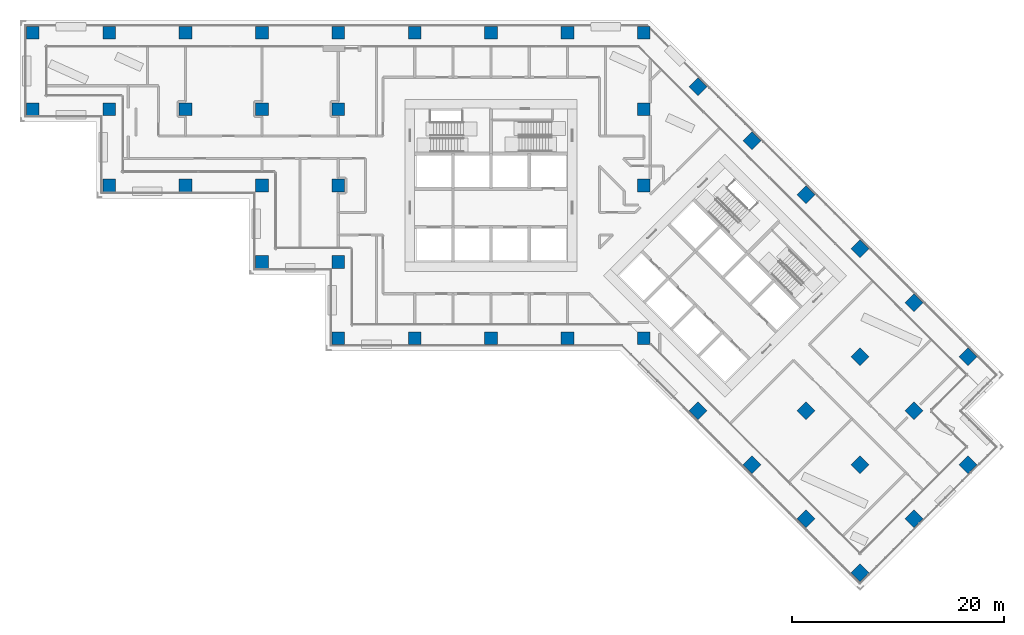
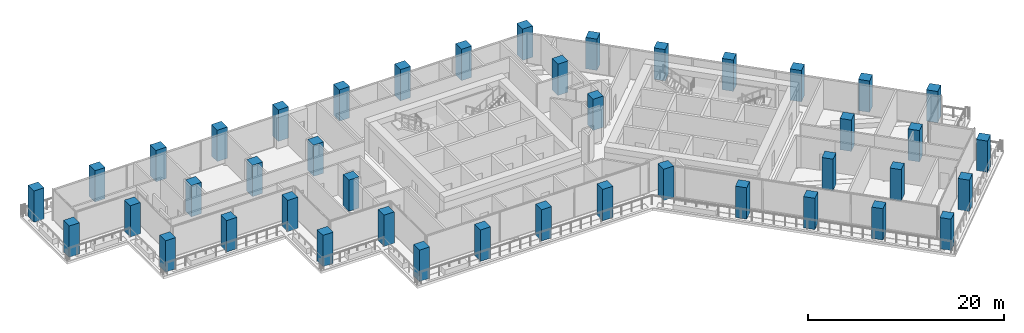
# One storey, part 1 of 24: 43 columns.
"""IFC4 building model written with IfcOpenShell, lengths in metres."""

from ifc_helpers import new_model, si_unit, direction, frame, origin, origin_2d, place, context, subcontext, project, spatial, rectangle, extrude, material, material_profile, profile_set, type_object, element, save


model = new_model("IFC4")

# Units and contexts
model_context = context("Model", 3, precision=1e-05, world=origin(), true_north=direction((0.0, 1.0)))
body_context = subcontext(model_context, "Body", "Model", "MODEL_VIEW")
ifc_project = project(units=[si_unit("LENGTHUNIT", "METRE"), si_unit("AREAUNIT", "SQUARE_METRE"), si_unit("VOLUMEUNIT", "CUBIC_METRE"), si_unit("PLANEANGLEUNIT", "RADIAN"), si_unit("MASSUNIT", "GRAM", prefix="KILO")], contexts=[model_context])

# Site, building, storey
site_placement = place(None, origin())
site = spatial("IfcSite", under=ifc_project, at=site_placement, CompositionType="ELEMENT")
building_placement = place(site_placement, origin())
building = spatial("IfcBuilding", under=site, at=building_placement, Name="Windrow Commons", CompositionType="ELEMENT")
storey_placement = place(building_placement, frame((0.0, 0.0, 77.0)))
storey = spatial("IfcBuildingStorey", under=building, at=storey_placement, Name="L20", CompositionType="ELEMENT", Elevation=77.0)

# Columns
ifc_material = material(Name="Concrete C60/75", Category="concrete")
ifc_material_profile = material_profile(ifc_material, rectangle(XDim=1.2, YDim=1.2, at=origin_2d()))
ifc_profile_set = profile_set([ifc_material_profile], Name="Concrete C60/75")
column_type = type_object("IfcColumnType", Name="RC COLUMN 1200x1200 C60/75", PredefinedType="COLUMN", material=ifc_profile_set)
for number, where, z_axis, x_axis, name in (
    (1, (21.6, 64.8, 0.0), (0.0, 0.0, 1.0), (1.0, 0.0, 0.0), "C-SG1-04I"),
    (2, (21.6, 72.0, 0.0), (0.0, 0.0, 1.0), (1.0, 0.0, 0.0), "C-SG1-04J"),
    (3, (28.8, 57.6, 0.0), (0.0, 0.0, 1.0), (1.0, 0.0, 0.0), "C-SG1-05H"),
    (4, (28.8, 64.8, 0.0), (0.0, 0.0, 1.0), (1.0, 0.0, 0.0), "C-SG1-05I"),
    (5, (28.8, 72.0, 0.0), (0.0, 0.0, 1.0), (1.0, 0.0, 0.0), "C-SG1-05J"),
    (6, (36.0, 57.6, 0.0), (0.0, 0.0, 1.0), (1.0, 0.0, 0.0), "C-SG1-06H"),
    (7, (36.0, 64.8, 0.0), (0.0, 0.0, 1.0), (1.0, 0.0, 0.0), "C-SG1-06I"),
    (8, (36.0, 72.0, 0.0), (0.0, 0.0, 1.0), (1.0, 0.0, 0.0), "C-SG1-06J"),
    (9, (43.2, 50.4, 0.0), (0.0, 0.0, 1.0), (1.0, 0.0, 0.0), "C-SG1-07G"),
    (10, (43.2, 57.6, 0.0), (0.0, 0.0, 1.0), (1.0, 0.0, 0.0), "C-SG1-07H"),
    (11, (43.2, 64.8, 0.0), (0.0, 0.0, 1.0), (1.0, 0.0, 0.0), "C-SG1-07I"),
    (12, (43.2, 72.0, 0.0), (0.0, 0.0, 1.0), (1.0, 0.0, 0.0), "C-SG1-07J"),
    (13, (50.4, 43.2, 0.0), (0.0, 0.0, 1.0), (1.0, 0.0, 0.0), "C-SG1-08F"),
    (14, (50.4, 50.4, 0.0), (0.0, 0.0, 1.0), (1.0, 0.0, 0.0), "C-SG1-08G"),
    (15, (50.4, 57.6, 0.0), (0.0, 0.0, 1.0), (1.0, 0.0, 0.0), "C-SG1-08H"),
    (16, (50.4, 64.8, 0.0), (0.0, 0.0, 1.0), (1.0, 0.0, 0.0), "C-SG1-08I"),
    (17, (50.4, 72.0, 0.0), (0.0, 0.0, 1.0), (1.0, 0.0, 0.0), "C-SG1-08J"),
    (18, (57.6, 43.2, 0.0), (0.0, 0.0, 1.0), (1.0, 0.0, 0.0), "C-SG1-09F"),
    (19, (57.6, 72.0, 0.0), (0.0, 0.0, 1.0), (1.0, 0.0, 0.0), "C-SG1-09J"),
    (20, (64.8, 43.2, 0.0), (0.0, 0.0, 1.0), (1.0, 0.0, 0.0), "C-SG1-10F"),
    (21, (64.8, 72.0, 0.0), (0.0, 0.0, 1.0), (1.0, 0.0, 0.0), "C-SG1-10J"),
    (22, (72.0, 43.2, 0.0), (0.0, 0.0, 1.0), (1.0, 0.0, 0.0), "C-SG1-11F"),
    (23, (72.0, 72.0, 0.0), (0.0, 0.0, 1.0), (1.0, 0.0, 0.0), "C-SG1-11J"),
    (24, (79.2, 43.2, 0.0), (0.0, 0.0, 1.0), (1.0, 0.0, 0.0), "C-SG1-12F"),
    (25, (79.2, 57.6, 0.0), (0.0, 0.0, 1.0), (1.0, 0.0, 0.0), "C-SG1-12H"),
    (26, (79.2, 64.8, 0.0), (0.0, 0.0, 1.0), (1.0, 0.0, 0.0), "C-SG1-12I"),
    (27, (79.2, 72.0, 0.0), (0.0, 0.0, 1.0), (1.0, 0.0, 0.0), "C-SG1-12J"),
    (28, (84.2912, 66.9088, 0.0), (0.0, 0.0, 1.0), (0.7071067812, -0.7071067812, 0.0), "C-SG1-P2Q"),
    (29, (89.3823, 61.8177, 0.0), (0.0, 0.0, 1.0), (0.7071067812, -0.7071067812, 0.0), "C-SG1-P3Q"),
    (30, (94.4735, 56.7265, 0.0), (0.0, 0.0, 1.0), (0.7071067812, -0.7071067812, 0.0), "C-SG1-P4Q"),
    (31, (99.5647, 51.6353, 0.0), (0.0, 0.0, 1.0), (0.7071067812, -0.7071067812, 0.0), "C-SG1-P5Q"),
    (32, (84.2912, 36.3618, 0.0), (0.0, 0.0, 1.0), (0.7071067812, -0.7071067812, 0.0), "C-SG1-P5T"),
    (33, (104.6558, 46.5442, 0.0), (0.0, 0.0, 1.0), (0.7071067812, -0.7071067812, 0.0), "C-SG1-P6Q"),
    (34, (99.5647, 41.453, 0.0), (0.0, 0.0, 1.0), (0.7071067812, -0.7071067812, 0.0), "C-SG1-P6R"),
    (35, (94.4735, 36.3618, 0.0), (0.0, 0.0, 1.0), (0.7071067812, -0.7071067812, 0.0), "C-SG1-P6S"),
    (36, (89.3823, 31.2706, 0.0), (0.0, 0.0, 1.0), (0.7071067812, -0.7071067812, 0.0), "C-SG1-P6T"),
    (37, (109.747, 41.453, 0.0), (0.0, 0.0, 1.0), (0.7071067812, -0.7071067812, 0.0), "C-SG1-P7Q"),
    (38, (104.6558, 36.3618, 0.0), (0.0, 0.0, 1.0), (0.7071067812, -0.7071067812, 0.0), "C-SG1-P7R"),
    (39, (99.5647, 31.2706, 0.0), (0.0, 0.0, 1.0), (0.7071067812, -0.7071067812, 0.0), "C-SG1-P7S"),
    (40, (94.4735, 26.1795, 0.0), (0.0, 0.0, 1.0), (0.7071067812, -0.7071067812, 0.0), "C-SG1-P7T"),
    (41, (109.747, 31.2706, 0.0), (0.0, 0.0, 1.0), (0.7071067812, -0.7071067812, 0.0), "C-SG1-P8R"),
    (42, (104.6558, 26.1795, 0.0), (0.0, 0.0, 1.0), (0.7071067812, -0.7071067812, 0.0), "C-SG1-P8S"),
    (43, (99.5647, 21.0883, 0.0), (0.0, 0.0, 1.0), (0.7071067812, -0.7071067812, 0.0), "C-SG1-P8T"),
):
    element("IfcColumn", number, at=place(storey_placement, frame(where, z_axis=z_axis, x_axis=x_axis)), inside=storey, type_object=column_type, Name=name, PredefinedType="COLUMN", context=body_context, shape_type="SweptSolid", body=[
        extrude(rectangle(XDim=1.2, YDim=1.2, at=origin_2d()), origin(), (0.0, 0.0, 1.0), 3.9),
    ])

save(model, "model.ifc")
